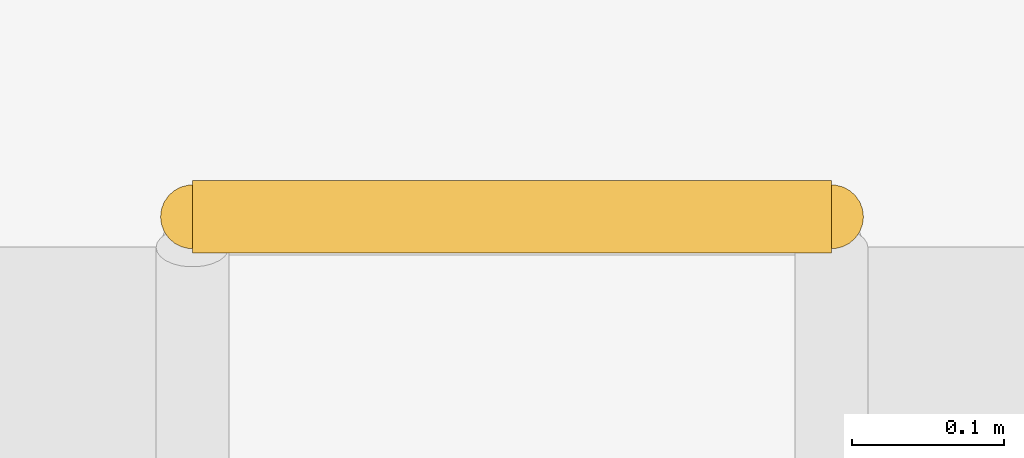
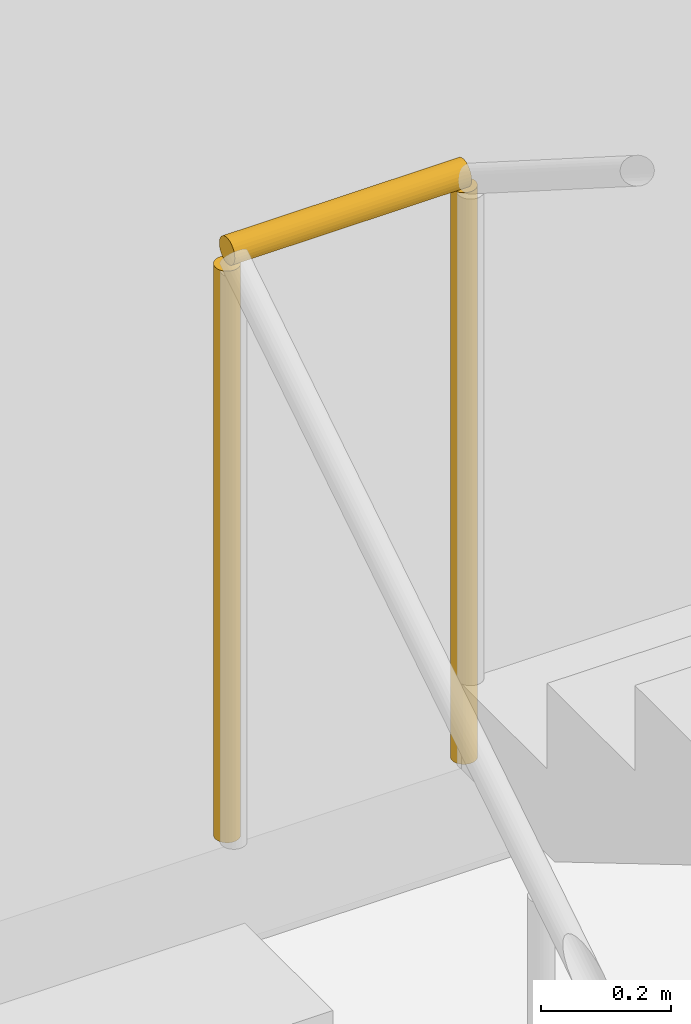
# One storey, part 37 of 39: 1 railing.
"""IFC4 building model written with IfcOpenShell, lengths in metres."""

from ifc_helpers import new_model, si_unit, direction, frame, origin, origin_2d, place, context, subcontext, project, spatial, circle, extrude, material, type_object, element, save


model = new_model("IFC4")

# Units and contexts
model_context = context("Model", 3, precision=1e-05, world=origin(), true_north=direction((0.0, 1.0)))
body_context = subcontext(model_context, "Body", "Model", "MODEL_VIEW")
ifc_project = project(units=[si_unit("LENGTHUNIT", "METRE"), si_unit("AREAUNIT", "SQUARE_METRE"), si_unit("VOLUMEUNIT", "CUBIC_METRE"), si_unit("PLANEANGLEUNIT", "RADIAN"), si_unit("MASSUNIT", "GRAM", prefix="KILO")], contexts=[model_context])

# Site, building, storey
site_placement = place(None, origin())
site = spatial("IfcSite", under=ifc_project, at=site_placement, CompositionType="ELEMENT")
building_placement = place(site_placement, origin())
building = spatial("IfcBuilding", under=site, at=building_placement, Name="Zarnetskaya Central Station", CompositionType="ELEMENT")
storey_placement = place(building_placement, frame((0.0, 0.0, -4.800048828125)))
storey = spatial("IfcBuildingStorey", under=building, at=storey_placement, Name="B1", CompositionType="ELEMENT", Elevation=-4.800048828125)

# Railing
ifc_material = material(Name="Steel S355", Category="steel")
railing_type = type_object("IfcRailingType", Name="RAIL-STAIR-GRD", PredefinedType="BALUSTRADE", material=ifc_material)
railing_placement = place(storey_placement, frame((127.639892578125, 18.60009765625, 2.400146484375)))
element("IfcRailing", 1, at=railing_placement, inside=storey, type_object=railing_type, Name="Stair ST-V1 B1 half-landing well guard", PredefinedType="BALUSTRADE", context=body_context, shape_type="SweptSolid", body=[
    extrude(circle(Radius=0.02392578125, at=origin_2d()), frame((0.0, 0.0, 1.09619140625), z_axis=(1.0, 0.0, 0.0), x_axis=(0.0, 1.0, 0.0)), (0.0, 0.0, 1.0), 0.420166015625),
    extrude(circle(Radius=0.02099609375, at=origin_2d()), origin(), (0.0, 0.0, 1.0), 1.072021484375),
    extrude(circle(Radius=0.02099609375, at=origin_2d()), frame((0.420166015625, 0.0, 0.0)), (0.0, 0.0, 1.0), 1.072021484375),
])

save(model, "model.ifc")
